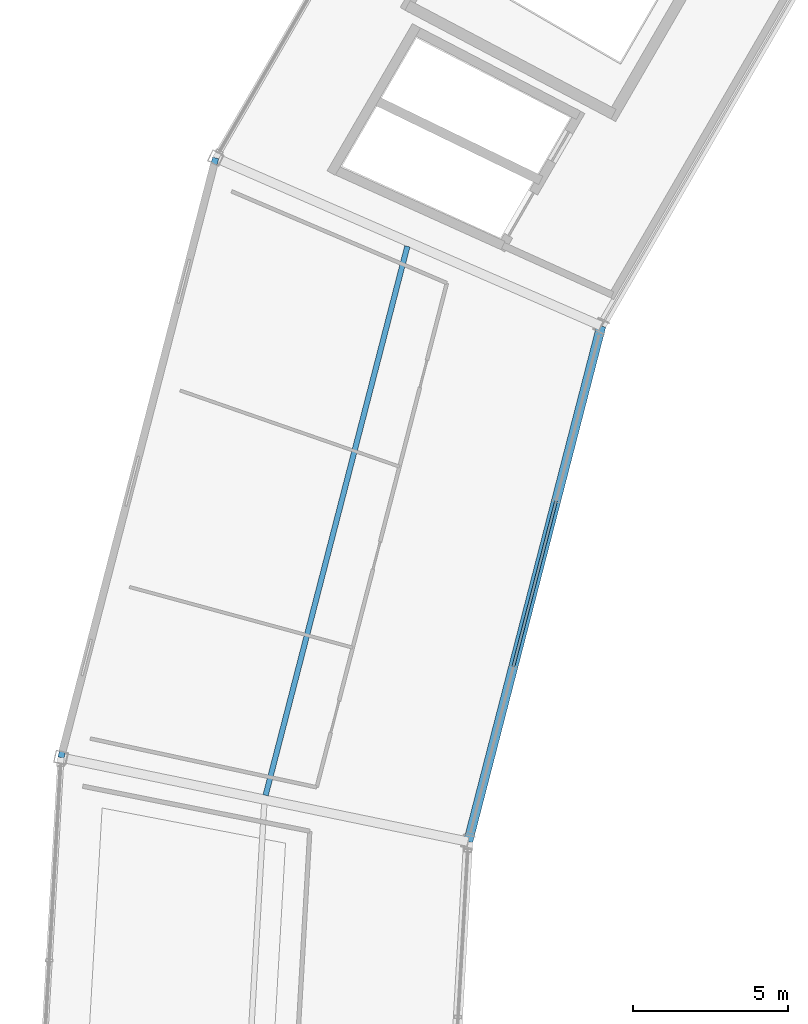
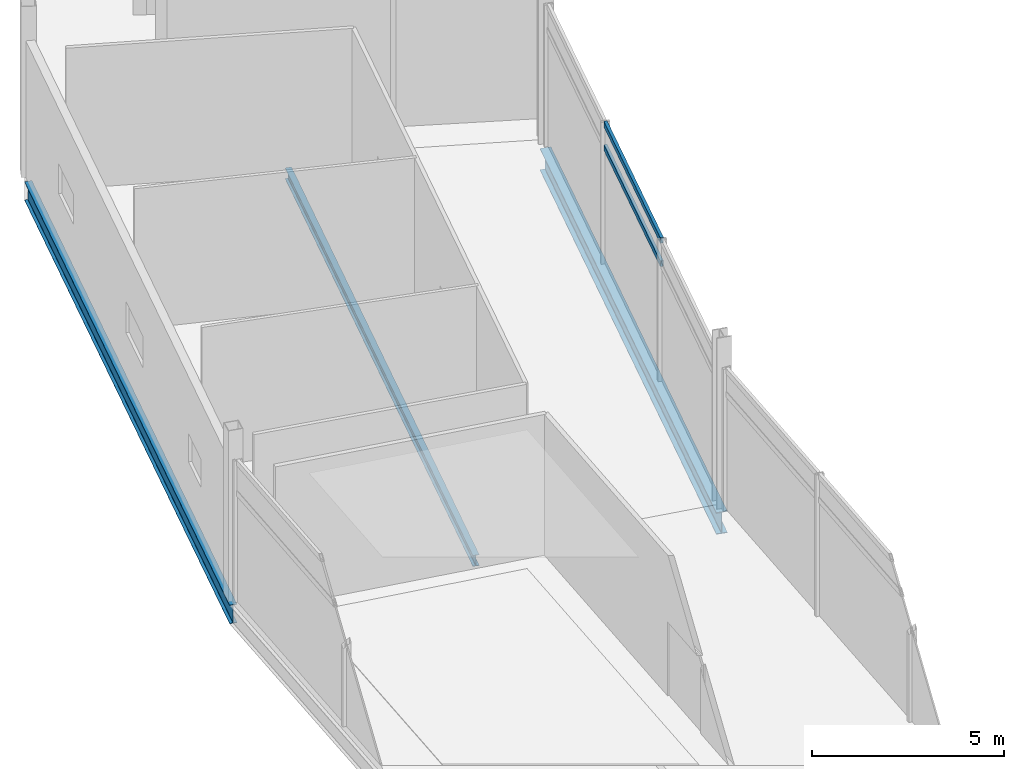
# One storey, part 43 of 86: 3 beams, 2 members, 1 element without a shape of its own.
"""IFC4 building model written with IfcOpenShell, lengths in metres."""

from ifc_helpers import new_model, si_unit, direction, frame, origin, origin_2d, place, context, subcontext, project, spatial, hollow_rectangle, i_section, extrude, material, layer, layer_set, material_profile, profile_set, type_object, element, aggregate, save


model = new_model("IFC4")

# Units and contexts
model_context = context("Model", 3, precision=1e-05, world=origin(), true_north=direction((0.0, 1.0)))
body_context = subcontext(model_context, "Body", "Model", "MODEL_VIEW")
ifc_project = project(units=[si_unit("LENGTHUNIT", "METRE"), si_unit("AREAUNIT", "SQUARE_METRE"), si_unit("VOLUMEUNIT", "CUBIC_METRE"), si_unit("PLANEANGLEUNIT", "RADIAN"), si_unit("MASSUNIT", "GRAM", prefix="KILO")], contexts=[model_context])

# Site, building, storey
site_placement = place(None, origin())
site = spatial("IfcSite", under=ifc_project, at=site_placement, CompositionType="ELEMENT")
building_placement = place(site_placement, origin())
building = spatial("IfcBuilding", under=site, at=building_placement, Name="Kazemori Nagisa Stadium", CompositionType="ELEMENT")
storey_placement = place(building_placement, frame((0.0, 0.0, 31.280029296875)))
storey = spatial("IfcBuildingStorey", under=building, at=storey_placement, Name="L06", CompositionType="ELEMENT", Elevation=31.280029296875)

# Beams
ifc_material_1 = material(Name="Steel SN490B", Category="steel")
ifc_material_profile_1 = material_profile(ifc_material_1, i_section(OverallWidth=0.300048828125, OverallDepth=0.699951171875, WebThickness=0.012939453125, FlangeThickness=0.02392578125, FilletRadius=0.01806640625, at=origin_2d()), Name="H-700x300x13x24")
ifc_profile_set_1 = profile_set([ifc_material_profile_1], Name="Steel SN490B")
beam_type_1 = type_object("IfcBeamType", Name="Beam_BG-H700", PredefinedType="BEAM", material=ifc_profile_set_1)
beam_1_placement = place(storey_placement, frame((46.55908203125, 135.32470703125, -0.610107421875), z_axis=(-0.249974673676, -0.968252375427, 0.0), x_axis=(0.968252375427, -0.249974673676, 0.0)))
element("IfcBeam", 1, at=beam_1_placement, inside=storey, type_object=beam_type_1, Name="Ring girder BG-H700 L06 R2-13", PredefinedType="BEAM", context=body_context, shape_type="SweptSolid", body=[
    extrude(i_section(OverallWidth=0.300048828125, OverallDepth=0.699951171875, WebThickness=0.012939453125, FlangeThickness=0.02392578125, FilletRadius=0.01806640625, at=origin_2d()), origin(), (0.0, 0.0, 1.0), 17.188232421875),
])
ifc_material_profile_2 = material_profile(ifc_material_1, i_section(OverallWidth=0.175048828125, OverallDepth=0.35009765625, WebThickness=0.007080078125, FlangeThickness=0.010986328125, FilletRadius=0.012939453125, at=origin_2d()), Name="H-350x175x7x11")
ifc_profile_set_2 = profile_set([ifc_material_profile_2], Name="Steel SN490B")
beam_type_2 = type_object("IfcBeamType", Name="Beam_BJ-H350", PredefinedType="JOIST", material=ifc_profile_set_2)
beam_2_placement = place(storey_placement, frame((40.30078125, 137.896728515625, -0.43505859375), z_axis=(-0.249965990044, -0.968254617248, 0.0), x_axis=(0.968254617248, -0.249965990044, 0.0)))
element("IfcBeam", 2, at=beam_2_placement, inside=storey, type_object=beam_type_2, Name="Outer bay joist BJ-H350 L06 B13", PredefinedType="JOIST", context=body_context, shape_type="SweptSolid", body=[
    extrude(i_section(OverallWidth=0.175048828125, OverallDepth=0.35009765625, WebThickness=0.007080078125, FlangeThickness=0.010986328125, FilletRadius=0.012939453125, at=origin_2d()), origin(), (0.0, 0.0, 1.0), 18.29736328125),
])
ifc_material_profile_3 = material_profile(ifc_material_1, i_section(OverallWidth=0.199951171875, OverallDepth=0.60009765625, WebThickness=0.010986328125, FlangeThickness=0.01708984375, FilletRadius=0.012939453125, at=origin_2d()), Name="H-600x200x11x17")
ifc_profile_set_3 = profile_set([ifc_material_profile_3], Name="Steel SN490B")
beam_type_3 = type_object("IfcBeamType", Name="Beam_BS-H600", PredefinedType="SPANDREL", material=ifc_profile_set_3)
beam_3_placement = place(storey_placement, frame((34.114990234375, 140.74951171875, -0.56005859375), z_axis=(-0.249964097999, -0.968255105699, 0.0), x_axis=(0.968255105699, -0.249964097999, 0.0)))
element("IfcBeam", 3, at=beam_3_placement, inside=storey, type_object=beam_type_3, Name="Ring girder BS-H600 L06 R3-13", PredefinedType="SPANDREL", context=body_context, shape_type="SweptSolid", body=[
    extrude(i_section(OverallWidth=0.199951171875, OverallDepth=0.60009765625, WebThickness=0.010986328125, FlangeThickness=0.01708984375, FilletRadius=0.012939453125, at=origin_2d()), origin(), (0.0, 0.0, 1.0), 19.986328125),
])

# Curtain wall, members
ifc_material_2 = material(Name="Anodised aluminium 6063-T5", Category="aluminium")
ifc_layer = layer(ifc_material_2, 0.239990234375, Name="Anodised aluminium 6063-T5", Category="aluminium")
ifc_layer_set = layer_set([ifc_layer], Name="Anodised aluminium 6063-T5")
curtain_wall_type = type_object("IfcCurtainWallType", Name="CW_L06G_83", PredefinedType="USERDEFINED", material=ifc_layer_set)
curtain_wall_placement = place(storey_placement, origin())
curtain_wall = element("IfcCurtainWall", 4, at=curtain_wall_placement, inside=storey, type_object=curtain_wall_type, Name="Unitised curtain wall CW-L06G-83 L06", ObjectType="UNITISED CURTAIN WALL", PredefinedType="USERDEFINED")
ifc_material_3 = material(Name="Aluminium 6063-T5 anodised", Category="aluminium")
ifc_material_profile_4 = material_profile(ifc_material_3, hollow_rectangle(XDim=0.090087890625, YDim=0.179931640625, WallThickness=0.0048828125, at=origin_2d()), Name="ALU-TRAN-90x180x5")
ifc_profile_set_4 = profile_set([ifc_material_profile_4], Name="Aluminium 6063-T5 anodised")
member_type = type_object("IfcMemberType", Name="Transom_T03", PredefinedType="USERDEFINED", material=ifc_profile_set_4)
member_1_placement = place(storey_placement, frame((45.09814453125, 129.665771484375, 3.6982421875), z_axis=(-0.249976028449, -0.968252025663, 0.0), x_axis=(0.968252025663, -0.249976028449, 0.0)))
member_1 = element("IfcMember", 5, at=member_1_placement, type_object=member_type, Name="Curtain wall transom CW-L06G-83-T2-mid", ObjectType="TRANSOM", PredefinedType="USERDEFINED", context=body_context, shape_type="SweptSolid", body=[
    extrude(hollow_rectangle(XDim=0.090087890625, YDim=0.179931640625, WallThickness=0.0048828125, at=origin_2d()), origin(), (0.0, 0.0, 1.0), 5.49951171875),
])
member_2_placement = place(storey_placement, frame((45.09814453125, 129.665771484375, 4.43994140625), z_axis=(-0.249976028449, -0.968252025663, 0.0), x_axis=(0.968252025663, -0.249976028449, 0.0)))
member_2 = element("IfcMember", 6, at=member_2_placement, type_object=member_type, Name="Curtain wall transom CW-L06G-83-T2-head", ObjectType="TRANSOM", PredefinedType="USERDEFINED", context=body_context, shape_type="SweptSolid", body=[
    extrude(hollow_rectangle(XDim=0.090087890625, YDim=0.179931640625, WallThickness=0.0048828125, at=origin_2d()), origin(), (0.0, 0.0, 1.0), 5.49951171875),
])
aggregate(curtain_wall, [member_1, member_2])

save(model, "model.ifc")
